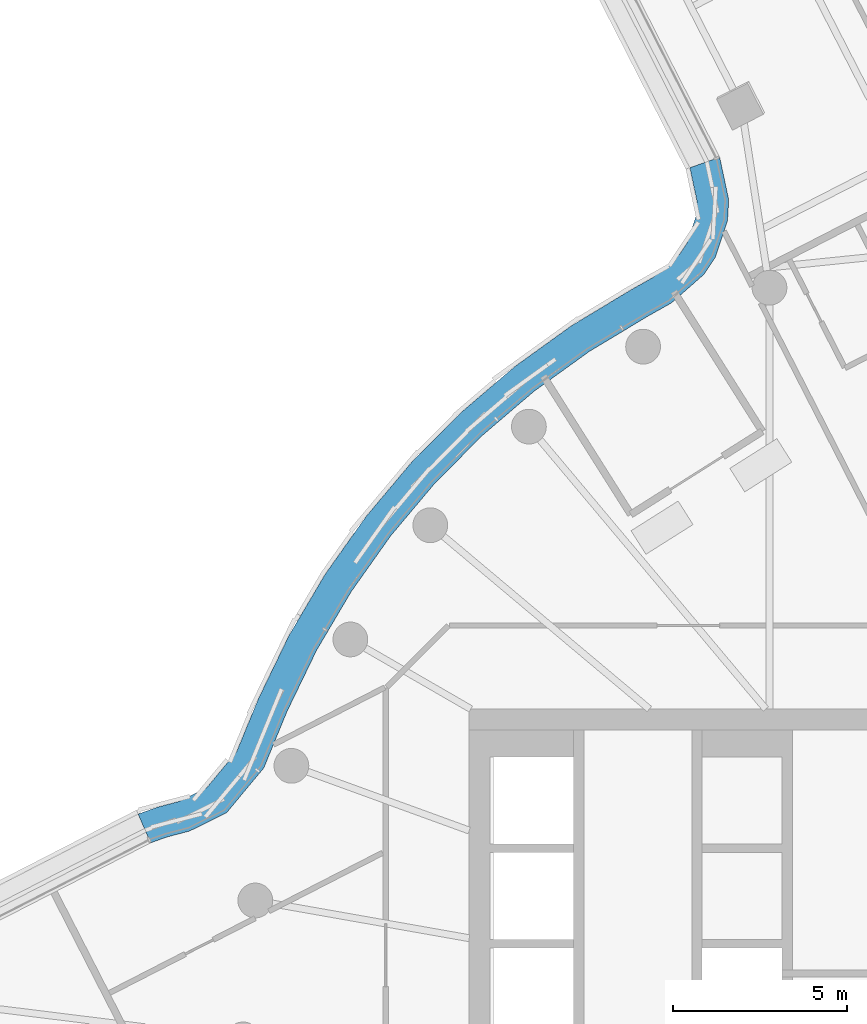
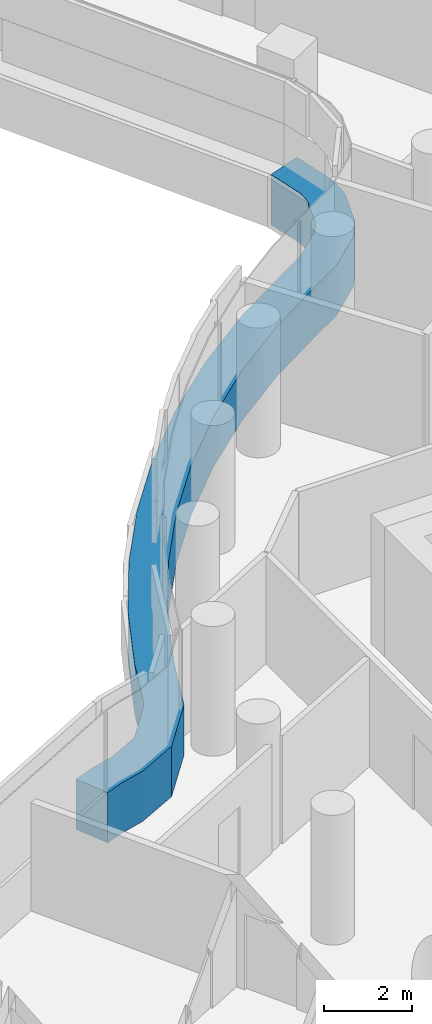
# One storey, part 14 of 37: 1 member, 1 element without a shape of its own.
"""IFC4 building model written with IfcOpenShell, lengths in metres."""

from ifc_helpers import new_model, si_unit, direction, frame, origin, place, context, subcontext, project, spatial, polyline, outline, extrude, material, layer, layer_set, type_object, element, aggregate, save


model = new_model("IFC4")

# Units and contexts
model_context = context("Model", 3, precision=1e-05, world=origin(), true_north=direction((0.0, 1.0)))
body_context = subcontext(model_context, "Body", "Model", "MODEL_VIEW")
ifc_project = project(units=[si_unit("LENGTHUNIT", "METRE"), si_unit("AREAUNIT", "SQUARE_METRE"), si_unit("VOLUMEUNIT", "CUBIC_METRE"), si_unit("PLANEANGLEUNIT", "RADIAN"), si_unit("MASSUNIT", "GRAM", prefix="KILO")], contexts=[model_context])

# Site, building, storey
site_placement = place(None, origin())
site = spatial("IfcSite", under=ifc_project, at=site_placement, CompositionType="ELEMENT")
building_placement = place(site_placement, origin())
building = spatial("IfcBuilding", under=site, at=building_placement, Name="Tamarind Cross Interchange Tower", CompositionType="ELEMENT")
storey_placement = place(building_placement, frame((0.0, 0.0, 133.0)))
storey = spatial("IfcBuildingStorey", under=building, at=storey_placement, Name="L32", CompositionType="ELEMENT", Elevation=133.0)

# Curtain wall, member
ifc_material_1 = material(Name="Aluminium 6063-T6", Category="aluminium")
ifc_layer = layer(ifc_material_1, 0.14990234375)
ifc_layer_set = layer_set([ifc_layer], Name="Aluminium 6063-T6")
curtain_wall_type = type_object("IfcCurtainWallType", Name="Winter garden and crown curtain wall", PredefinedType="NOTDEFINED", material=ifc_layer_set)
curtain_wall_placement = place(storey_placement, origin())
curtain_wall = element("IfcCurtainWall", 1, at=curtain_wall_placement, inside=storey, type_object=curtain_wall_type, Name="CWS-L32-14", PredefinedType="NOTDEFINED")
ifc_material_2 = material(Name="Aluminium and insulated spandrel panel", Category="aluminium")
member_type = type_object("IfcMemberType", Name="Floor-edge blade transom", PredefinedType="USERDEFINED", material=ifc_material_2)
member_placement = place(storey_placement, origin())
member = element("IfcMember", 2, at=member_placement, type_object=member_type, Name="CWT-L32-14", ObjectType="TRANSOM", PredefinedType="USERDEFINED", context=body_context, shape_type="SweptSolid", body=[
    extrude(outline(polyline([(-9.29833984375, 25.368408203125), (-9.03857421875, 24.1435546875), (-9.07177734375, 23.550048828125), (-9.424560546875, 22.48876953125), (-9.75341796875, 21.993408203125), (-10.6884765625, 21.173583984375), (-11.360595703125, 20.795166015625), (-13.045654296875, 19.78125), (-14.634521484375, 18.636474609375), (-16.12353515625, 17.3642578125), (-17.50244140625, 15.973388671875), (-18.76171875, 14.4736328125), (-19.892822265625, 12.874755859375), (-20.88818359375, 11.188232421875), (-21.7421875, 9.422119140625), (-22.406982421875, 7.802734375), (-23.47705078125, 6.515869140625), (-24.54150390625, 5.989990234375), (-25.200927734375, 5.816162109375), (-25.662109375, 5.6513671875), (-26.0205078125, 6.47900390625), (-25.467529296875, 6.6767578125), (-24.85888671875, 6.837158203125), (-24.047119140625, 7.23828125), (-23.18701171875, 8.272216796875), (-22.564208984375, 9.7890625), (-21.68212890625, 11.613525390625), (-20.64892578125, 13.3642578125), (-19.474853515625, 15.023681640625), (-18.167724609375, 16.580810546875), (-16.736572265625, 18.0244140625), (-15.19091796875, 19.344970703125), (-13.54150390625, 20.533203125), (-11.8134765625, 21.572998046875), (-11.21142578125, 21.912109375), (-10.436767578125, 22.591064453125), (-10.24072265625, 22.886474609375), (-9.963623046875, 23.72021484375), (-9.94384765625, 24.07421875), (-10.154052734375, 25.065185546875), (-9.29833984375, 25.368408203125)])), origin(), (0.0, 0.0, 1.0), 1.39990234375),
])
aggregate(curtain_wall, [member])

save(model, "model.ifc")
